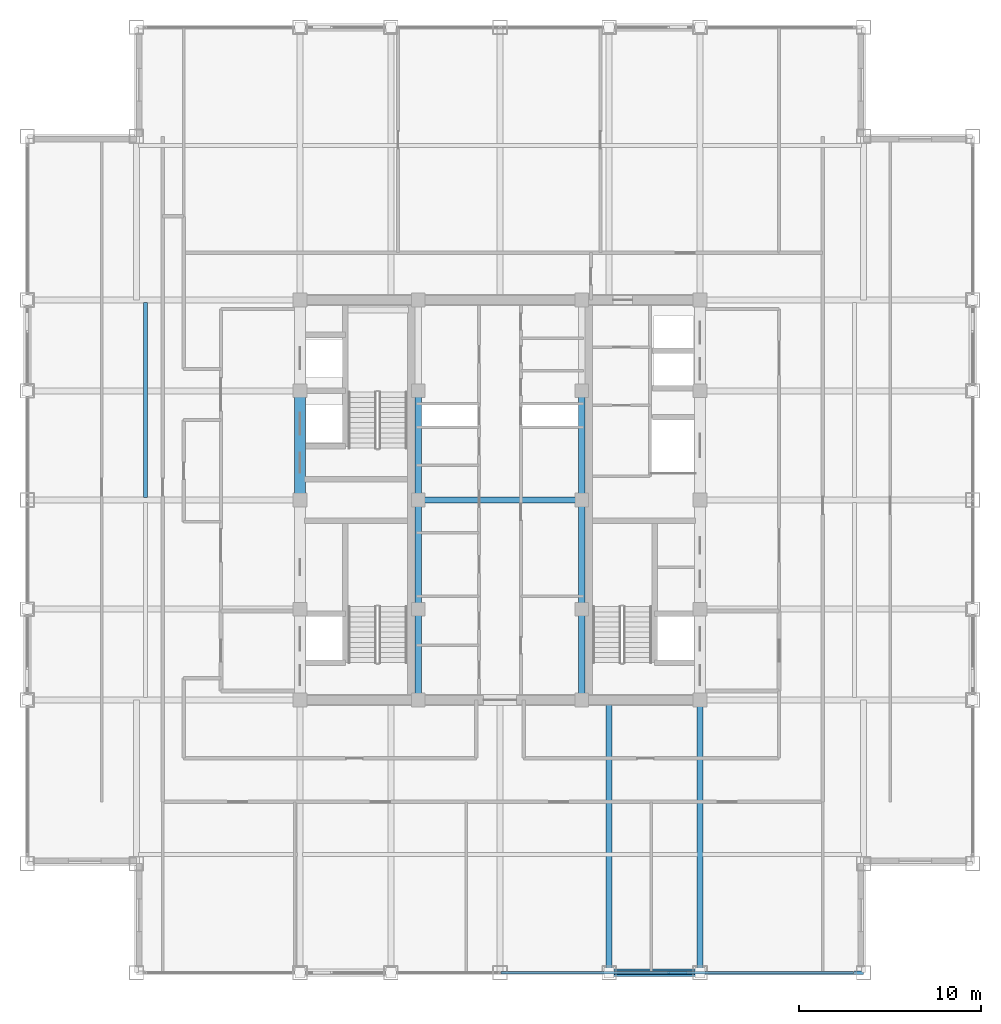
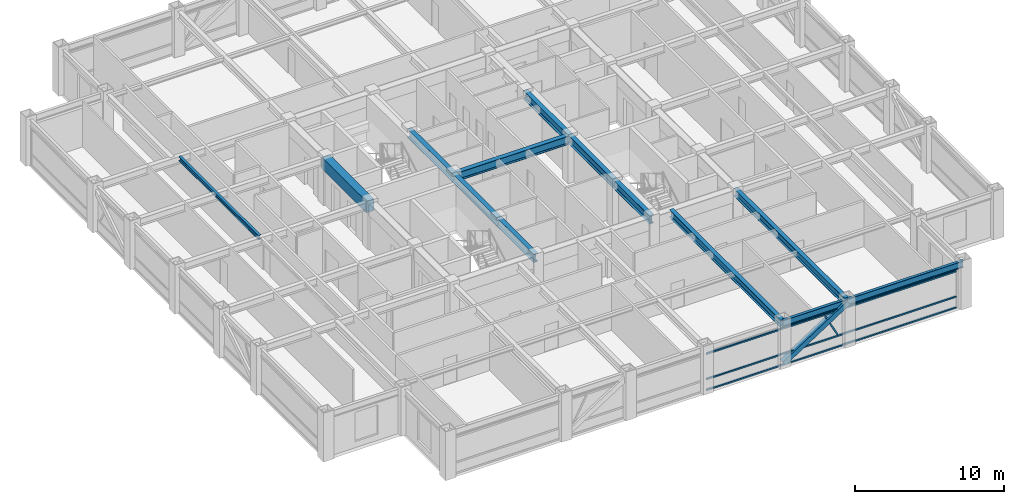
# One storey, part 7 of 28: 13 beams, 5 members, 1 element without a shape of its own.
"""IFC4 building model written with IfcOpenShell, lengths in metres."""

from ifc_helpers import new_model, si_unit, direction, frame, origin, origin_2d, place, context, subcontext, project, spatial, rectangle, hollow_rectangle, i_section, extrude, source, transform, mapped, material, material_profile, profile_set, type_object, element, aggregate, save


model = new_model("IFC4")

# Units and contexts
model_context = context("Model", 3, precision=1e-05, world=origin(), true_north=direction((0.0, 1.0)))
body_context = subcontext(model_context, "Body", "Model", "MODEL_VIEW")
ifc_project = project(units=[si_unit("LENGTHUNIT", "METRE"), si_unit("AREAUNIT", "SQUARE_METRE"), si_unit("VOLUMEUNIT", "CUBIC_METRE"), si_unit("PLANEANGLEUNIT", "RADIAN"), si_unit("MASSUNIT", "GRAM", prefix="KILO")], contexts=[model_context])

# Site, building, storey
site_placement = place(None, origin())
site = spatial("IfcSite", under=ifc_project, at=site_placement, CompositionType="ELEMENT")
building_placement = place(site_placement, origin())
building = spatial("IfcBuilding", under=site, at=building_placement, Name="Khorayat Bourse Tower", CompositionType="ELEMENT")
storey_placement = place(building_placement, frame((0.0, 0.0, 334.300048828125)))
storey = spatial("IfcBuildingStorey", under=building, at=storey_placement, Name="L79", CompositionType="ELEMENT", Elevation=334.300048828125)

# Beams
ifc_material_1 = material(Name="Steel ASTM A992 Grade 50", Category="steel")
ifc_material_profile_1 = material_profile(ifc_material_1, i_section(OverallWidth=0.35498046875, OverallDepth=0.695068359375, WebThickness=0.015380859375, FlangeThickness=0.02490234375, FilletRadius=0.01806640625, at=origin_2d()), Name="W690X217")
ifc_profile_set_1 = profile_set([ifc_material_profile_1], Name="Steel ASTM A992 Grade 50")
beam_type_1 = type_object("IfcBeamType", Name="BM-GIRD-690", PredefinedType="BEAM", material=ifc_profile_set_1)
shared_shape_1 = source(origin(), body_context, "Body", "SweptSolid", [
    extrude(i_section(OverallWidth=0.35498046875, OverallDepth=0.695068359375, WebThickness=0.015380859375, FlangeThickness=0.02490234375, FilletRadius=0.01806640625, at=origin_2d()), origin(), (0.0, 0.0, 1.0), 5.0),
])
for number, where, z_axis, x_axis, name in (
    (1, (-4.5, -11.0, 3.392333984375), (0.0, 1.0, 0.0), (-1.0, 0.0, 0.0), "L79 BM-GIRD-690 BM-L79-CRX-05"),
    (2, (4.5, -11.0, 3.392333984375), (0.0, 1.0, 0.0), (-1.0, 0.0, 0.0), "L79 BM-GIRD-690 BM-L79-CRX-09"),
):
    element("IfcBeam", number, at=place(storey_placement, frame(where, z_axis=z_axis, x_axis=x_axis)), inside=storey, type_object=beam_type_1, Name=name, PredefinedType="BEAM", context=body_context, shape_type="MappedRepresentation", body=[
        mapped(shared_shape_1, transform((0.0, 0.0, 0.0), scale=1.0)),
    ])
shared_shape_2 = source(origin(), body_context, "Body", "SweptSolid", [
    extrude(i_section(OverallWidth=0.35498046875, OverallDepth=0.695068359375, WebThickness=0.015380859375, FlangeThickness=0.02490234375, FilletRadius=0.01806640625, at=origin_2d()), origin(), (0.0, 0.0, 1.0), 6.0),
])
for number, where, z_axis, x_axis, name in (
    (3, (-4.5, -6.0, 3.392333984375), (0.0, 1.0, 0.0), (-1.0, 0.0, 0.0), "L79 BM-GIRD-690 BM-L79-CRX-06"),
    (4, (-4.5, 0.0, 3.392333984375), (0.0, 1.0, 0.0), (-1.0, 0.0, 0.0), "L79 BM-GIRD-690 BM-L79-CRX-07"),
    (5, (4.5, -6.0, 3.392333984375), (0.0, 1.0, 0.0), (-1.0, 0.0, 0.0), "L79 BM-GIRD-690 BM-L79-CRX-10"),
    (6, (4.5, 0.0, 3.392333984375), (0.0, 1.0, 0.0), (-1.0, 0.0, 0.0), "L79 BM-GIRD-690 BM-L79-CRX-11"),
):
    element("IfcBeam", number, at=place(storey_placement, frame(where, z_axis=z_axis, x_axis=x_axis)), inside=storey, type_object=beam_type_1, Name=name, PredefinedType="BEAM", context=body_context, shape_type="MappedRepresentation", body=[
        mapped(shared_shape_2, transform((0.0, 0.0, 0.0), scale=1.0)),
    ])
shared_shape_3 = source(origin(), body_context, "Body", "SweptSolid", [
    extrude(i_section(OverallWidth=0.35498046875, OverallDepth=0.695068359375, WebThickness=0.015380859375, FlangeThickness=0.02490234375, FilletRadius=0.01806640625, at=origin_2d()), origin(), (0.0, 0.0, 1.0), 9.0),
])
beam_1_placement = place(storey_placement, frame((-4.5, 0.0, 3.392333984375), z_axis=(1.0, 0.0, 0.0), x_axis=(0.0, 1.0, 0.0)))
element("IfcBeam", 7, at=beam_1_placement, inside=storey, type_object=beam_type_1, Name="L79 BM-GIRD-690 BM-L79-CRY-23", PredefinedType="BEAM", context=body_context, shape_type="MappedRepresentation", body=[
    mapped(shared_shape_3, transform((0.0, 0.0, 0.0), scale=1.0)),
])
ifc_material_2 = material(Name="Concrete C60/75", Category="concrete")
ifc_material_profile_2 = material_profile(ifc_material_2, rectangle(XDim=0.60009765625, YDim=0.949951171875, at=origin_2d()), Name="RC 600x950")
ifc_profile_set_2 = profile_set([ifc_material_profile_2], Name="Concrete C60/75")
beam_type_2 = type_object("IfcBeamType", Name="BM-COUP-950", PredefinedType="BEAM", material=ifc_profile_set_2)
shared_shape_4 = source(origin(), body_context, "Body", "SweptSolid", [
    extrude(rectangle(XDim=0.60009765625, YDim=0.949951171875, at=origin_2d()), origin(), (0.0, 0.0, 1.0), 6.0),
])
beam_2_placement = place(storey_placement, frame((-11.0, 0.0, 3.264892578125), z_axis=(0.0, 1.0, 0.0), x_axis=(-1.0, 0.0, 0.0)))
element("IfcBeam", 8, at=beam_2_placement, inside=storey, type_object=beam_type_2, Name="L79 BM-COUP-950 BM-L79-CRX-03", PredefinedType="BEAM", context=body_context, shape_type="MappedRepresentation", body=[
    mapped(shared_shape_4, transform((0.0, 0.0, 0.0), scale=1.0)),
])
ifc_material_profile_3 = material_profile(ifc_material_1, i_section(OverallWidth=0.202880859375, OverallDepth=0.346923828125, WebThickness=0.0078125, FlangeThickness=0.013427734375, FilletRadius=0.010009765625, at=origin_2d()), Name="W360X64")
ifc_profile_set_3 = profile_set([ifc_material_profile_3], Name="Steel ASTM A992 Grade 50")
beam_type_3 = type_object("IfcBeamType", Name="BM-JOIST-360", PredefinedType="JOIST", material=ifc_profile_set_3)
shared_shape_5 = source(origin(), body_context, "Body", "SweptSolid", [
    extrude(i_section(OverallWidth=0.202880859375, OverallDepth=0.346923828125, WebThickness=0.0078125, FlangeThickness=0.013427734375, FilletRadius=0.010009765625, at=origin_2d()), origin(), (0.0, 0.0, 1.0), 10.740234375),
])
beam_3_placement = place(storey_placement, frame((-19.5, 0.1298828125, 3.56640625), z_axis=(0.0, 1.0, 0.0), x_axis=(-1.0, 0.0, 0.0)))
element("IfcBeam", 9, at=beam_3_placement, inside=storey, type_object=beam_type_3, Name="L79 BM-JOIST-360 BM-L79-JSTY-087", PredefinedType="JOIST", context=body_context, shape_type="MappedRepresentation", body=[
    mapped(shared_shape_5, transform((0.0, 0.0, 0.0), scale=1.0)),
])
ifc_material_profile_4 = material_profile(ifc_material_1, i_section(OverallWidth=0.214111328125, OverallDepth=0.549072265625, WebThickness=0.0146484375, FlangeThickness=0.023681640625, FilletRadius=0.013916015625, at=origin_2d()), Name="W530X138")
ifc_profile_set_4 = profile_set([ifc_material_profile_4], Name="Steel ASTM A992 Grade 50")
beam_type_4 = type_object("IfcBeamType", Name="BM-SPAN-530", PredefinedType="SPANDREL", material=ifc_profile_set_4)
shared_shape_6 = source(origin(), body_context, "Body", "SweptSolid", [
    extrude(i_section(OverallWidth=0.214111328125, OverallDepth=0.549072265625, WebThickness=0.0146484375, FlangeThickness=0.023681640625, FilletRadius=0.013916015625, at=origin_2d()), origin(), (0.0, 0.0, 1.0), 9.0),
])
beam_4_placement = place(storey_placement, frame((11.0, -26.0, 3.46533203125), z_axis=(1.0, 0.0, 0.0), x_axis=(0.0, 1.0, 0.0)))
element("IfcBeam", 10, at=beam_4_placement, inside=storey, type_object=beam_type_4, Name="L79 BM-SPAN-530 BM-L79-SPN-029", PredefinedType="SPANDREL", context=body_context, shape_type="MappedRepresentation", body=[
    mapped(shared_shape_6, transform((0.0, 0.0, 0.0), scale=1.0)),
])
shared_shape_7 = source(origin(), body_context, "Body", "SweptSolid", [
    extrude(i_section(OverallWidth=0.214111328125, OverallDepth=0.549072265625, WebThickness=0.0146484375, FlangeThickness=0.023681640625, FilletRadius=0.013916015625, at=origin_2d()), origin(), (0.0, 0.0, 1.0), 5.0),
])
beam_5_placement = place(storey_placement, frame((6.0, -26.0, 3.46533203125), z_axis=(1.0, 0.0, 0.0), x_axis=(0.0, 1.0, 0.0)))
element("IfcBeam", 11, at=beam_5_placement, inside=storey, type_object=beam_type_4, Name="L79 BM-SPAN-530 BM-L79-SPN-028", PredefinedType="SPANDREL", context=body_context, shape_type="MappedRepresentation", body=[
    mapped(shared_shape_7, transform((0.0, 0.0, 0.0), scale=1.0)),
])
ifc_material_profile_5 = material_profile(ifc_material_1, i_section(OverallWidth=0.324951171875, OverallDepth=0.615966796875, WebThickness=0.013916015625, FlangeThickness=0.021484375, FilletRadius=0.01611328125, at=origin_2d()), Name="W610X174")
ifc_profile_set_5 = profile_set([ifc_material_profile_5], Name="Steel ASTM A992 Grade 50")
beam_type_5 = type_object("IfcBeamType", Name="BM-GIRD-610", PredefinedType="BEAM", material=ifc_profile_set_5)
shared_shape_8 = source(origin(), body_context, "Body", "SweptSolid", [
    extrude(i_section(OverallWidth=0.324951171875, OverallDepth=0.615966796875, WebThickness=0.013916015625, FlangeThickness=0.021484375, FilletRadius=0.01611328125, at=origin_2d()), origin(), (0.0, 0.0, 1.0), 15.0),
])
for number, where, z_axis, x_axis, name in (
    (12, (6.0, -26.0, 3.431884765625), (0.0, 1.0, 0.0), (-1.0, 0.0, 0.0), "L79 BM-GIRD-610 BM-L79-RADY-063"),
    (13, (11.0, -26.0, 3.431884765625), (0.0, 1.0, 0.0), (-1.0, 0.0, 0.0), "L79 BM-GIRD-610 BM-L79-RADY-065"),
):
    element("IfcBeam", number, at=place(storey_placement, frame(where, z_axis=z_axis, x_axis=x_axis)), inside=storey, type_object=beam_type_5, Name=name, PredefinedType="BEAM", context=body_context, shape_type="MappedRepresentation", body=[
        mapped(shared_shape_8, transform((0.0, 0.0, 0.0), scale=1.0)),
    ])

# Member
ifc_material_3 = material(Name="Steel EN 10025-4 S460M", Category="steel")
ifc_material_profile_6 = material_profile(ifc_material_3, hollow_rectangle(XDim=0.39990234375, YDim=0.39990234375, WallThickness=0.02197265625, at=origin_2d()), Name="HSS 400x400x22")
ifc_profile_set_6 = profile_set([ifc_material_profile_6], Name="Steel EN 10025-4 S460M")
member_type_1 = type_object("IfcMemberType", Name="MBR-TUBE-400", PredefinedType="BRACE", material=ifc_profile_set_6)
shared_shape_9 = source(origin(), body_context, "Body", "SweptSolid", [
    extrude(hollow_rectangle(XDim=0.39990234375, YDim=0.39990234375, WallThickness=0.02197265625, at=origin_2d()), origin(), (0.0, 0.0, 1.0), 5.9580078125),
])
member_1_placement = place(storey_placement, frame((6.0, -26.0, 0.25), z_axis=(0.839210474455, 0.0, 0.543806748364), x_axis=(0.0, 1.0, 0.0)))
element("IfcMember", 14, at=member_1_placement, inside=storey, type_object=member_type_1, Name="L79 Perimeter Tube Brace 02", PredefinedType="BRACE", context=body_context, shape_type="MappedRepresentation", body=[
    mapped(shared_shape_9, transform((0.0, 0.0, 0.0), scale=1.0)),
])

# Curtain wall, members
ifc_material_4 = material(Name="Aluminium EN AW-6063 T6", Category="aluminium")
curtain_wall_type = type_object("IfcCurtainWallType", Name="CW-SYS-04", PredefinedType="NOTDEFINED", material=ifc_material_4)
curtain_wall_placement = place(storey_placement, origin())
curtain_wall = element("IfcCurtainWall", 15, at=curtain_wall_placement, inside=storey, type_object=curtain_wall_type, Name="L79 Curtain Wall CW-L79-S1", PredefinedType="NOTDEFINED")
ifc_material_profile_7 = material_profile(ifc_material_4, hollow_rectangle(XDim=0.1201171875, YDim=0.1201171875, WallThickness=0.0048828125, at=origin_2d()), Name="ALU 120x120x5")
ifc_profile_set_7 = profile_set([ifc_material_profile_7], Name="Aluminium EN AW-6063 T6")
member_type_2 = type_object("IfcMemberType", Name="CWM-DIAG-120", PredefinedType="MULLION", material=ifc_profile_set_7)
shared_shape_10 = source(origin(), body_context, "Body", "SweptSolid", [
    extrude(hollow_rectangle(XDim=0.1201171875, YDim=0.1201171875, WallThickness=0.0048828125, at=origin_2d()), origin(), (0.0, 0.0, 1.0), 2.0341796875),
])
member_2_placement = place(storey_placement, frame((10.21875, -26.0, 1.08984375), z_axis=(-0.465790950955, 0.0, 0.884894790361), x_axis=(0.0, -1.0, 0.0)))
member_2 = element("IfcMember", 16, at=member_2_placement, type_object=member_type_2, Name="CW-L79-S1 Faceted Diagonal Mullion 2", PredefinedType="MULLION", context=body_context, shape_type="MappedRepresentation", body=[
    mapped(shared_shape_10, transform((0.0, 0.0, 0.0), scale=1.0)),
])
ifc_material_profile_8 = material_profile(ifc_material_4, hollow_rectangle(XDim=0.1201171875, YDim=0.1201171875, WallThickness=0.0048828125, at=origin_2d()), Name="ALU 120x120x5")
ifc_profile_set_8 = profile_set([ifc_material_profile_8], Name="Aluminium EN AW-6063 T6")
member_type_3 = type_object("IfcMemberType", Name="CWT-HORZ-120", PredefinedType="USERDEFINED", material=ifc_profile_set_8)
shared_shape_11 = source(origin(), body_context, "Body", "SweptSolid", [
    extrude(hollow_rectangle(XDim=0.1201171875, YDim=0.1201171875, WallThickness=0.0048828125, at=origin_2d()), origin(), (0.0, 0.0, 1.0), 19.369873046875),
])
member_3_placement = place(storey_placement, frame((0.06005859375, -26.0, 0.06005859375), z_axis=(1.0, 0.0, 0.0), x_axis=(0.0, 1.0, 0.0)))
member_3 = element("IfcMember", 17, at=member_3_placement, type_object=member_type_3, Name="CW-L79-S1 Horizontal Transom 2-1", ObjectType="TRANSOM", PredefinedType="USERDEFINED", context=body_context, shape_type="MappedRepresentation", body=[
    mapped(shared_shape_11, transform((0.0, 0.0, 0.0), scale=1.0)),
])
member_4_placement = place(storey_placement, frame((0.06005859375, -26.0, 0.949951171875), z_axis=(1.0, 0.0, 0.0), x_axis=(0.0, 1.0, 0.0)))
member_4 = element("IfcMember", 18, at=member_4_placement, type_object=member_type_3, Name="CW-L79-S1 Horizontal Transom 2-2", ObjectType="TRANSOM", PredefinedType="USERDEFINED", context=body_context, shape_type="MappedRepresentation", body=[
    mapped(shared_shape_11, transform((0.0, 0.0, 0.0), scale=1.0)),
])
member_5_placement = place(storey_placement, frame((0.06005859375, -26.0, 3.030029296875), z_axis=(1.0, 0.0, 0.0), x_axis=(0.0, 1.0, 0.0)))
member_5 = element("IfcMember", 19, at=member_5_placement, type_object=member_type_3, Name="CW-L79-S1 Horizontal Transom 2-3", ObjectType="TRANSOM", PredefinedType="USERDEFINED", context=body_context, shape_type="MappedRepresentation", body=[
    mapped(shared_shape_11, transform((0.0, 0.0, 0.0), scale=1.0)),
])
aggregate(curtain_wall, [member_3, member_4, member_5, member_2])

save(model, "model.ifc")
